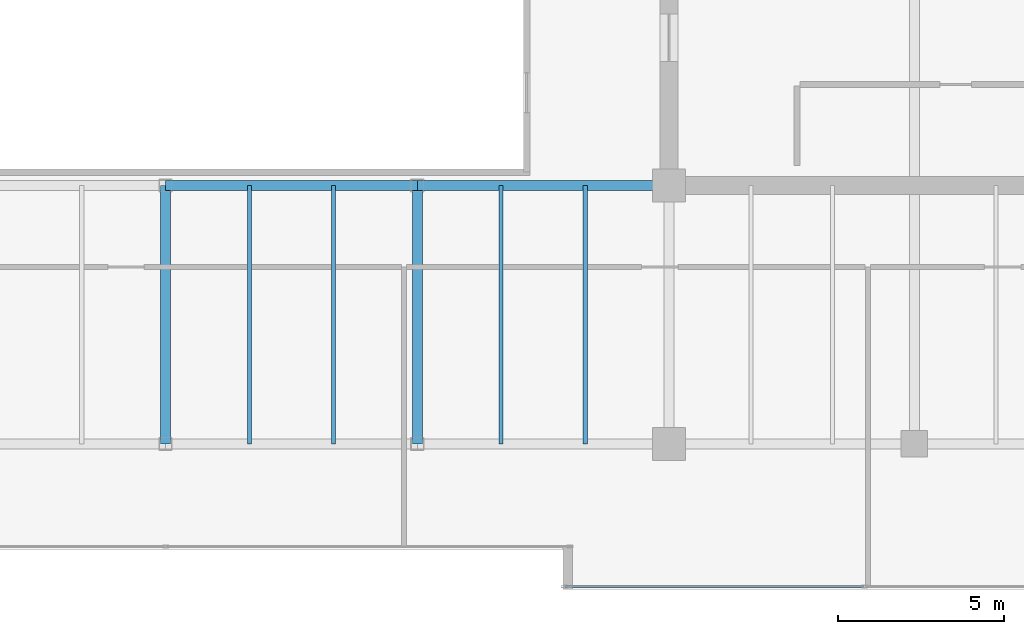
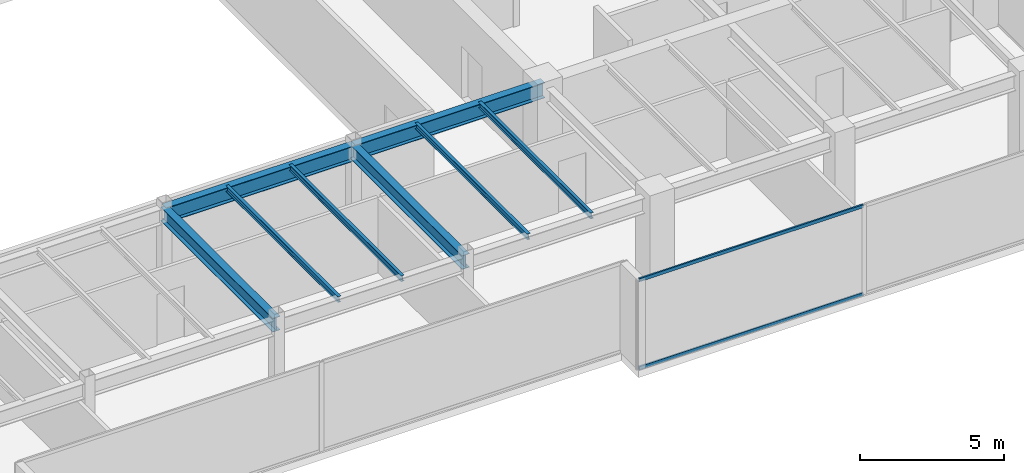
# One storey, part 12 of 33: 8 beams, 2 members, 1 element without a shape of its own.
"""IFC4 building model written with IfcOpenShell, lengths in metres."""

from ifc_helpers import new_model, si_unit, direction, frame, origin, origin_2d, place, context, subcontext, project, spatial, hollow_rectangle, i_section, extrude, source, transform, mapped, material, layer, layer_set, material_profile, profile_set, type_object, type_shapes, element, aggregate, save


model = new_model("IFC4")

# Units and contexts
model_context = context("Model", 3, precision=1e-05, world=origin(), true_north=direction((0.0, 1.0)))
body_context = subcontext(model_context, "Body", "Model", "MODEL_VIEW")
ifc_project = project(units=[si_unit("LENGTHUNIT", "METRE"), si_unit("AREAUNIT", "SQUARE_METRE"), si_unit("VOLUMEUNIT", "CUBIC_METRE"), si_unit("PLANEANGLEUNIT", "RADIAN"), si_unit("MASSUNIT", "GRAM", prefix="KILO")], contexts=[model_context])

# Site, building, storey
site_placement = place(None, origin())
site = spatial("IfcSite", under=ifc_project, at=site_placement, CompositionType="ELEMENT")
building_placement = place(site_placement, origin())
building = spatial("IfcBuilding", under=site, at=building_placement, Name="Haelvirn Gate Laboratories", CompositionType="ELEMENT")
storey_placement = place(building_placement, frame((0.0, 0.0, 279.300048828125)))
storey = spatial("IfcBuildingStorey", under=building, at=storey_placement, Name="L67", CompositionType="ELEMENT", Elevation=279.300048828125)

# Beams
ifc_material_1 = material(Name="Steel SM355", Category="steel")
ifc_material_profile_1 = material_profile(ifc_material_1, i_section(OverallWidth=0.300048828125, OverallDepth=0.587890625, WebThickness=0.011962890625, FlangeThickness=0.02001953125, at=origin_2d()), Name="H-588x300x12x20")
ifc_profile_set_1 = profile_set([ifc_material_profile_1], Name="Steel SM355")
beam_type_1 = type_object("IfcBeamType", Name="BM-G-588", PredefinedType="BEAM", material=ifc_profile_set_1)
shared_shape_1 = source(origin(), body_context, "Body", "SweptSolid", [
    extrude(i_section(OverallWidth=0.300048828125, OverallDepth=0.587890625, WebThickness=0.011962890625, FlangeThickness=0.02001953125, at=origin_2d()), origin(), (0.0, 0.0, 1.0), 7.800048828125),
])
type_shapes(beam_type_1, [shared_shape_1])
for number, where, z_axis, x_axis, name in (
    (1, (37.39990234375, 7.0, 3.505859375), (0.0, 1.0, 0.0), (-1.0, 0.0, 0.0), "L67 Frame Girder X37.4 (7.0-14.8)"),
    (2, (45.0, 7.0, 3.505859375), (0.0, 1.0, 0.0), (-1.0, 0.0, 0.0), "L67 Frame Girder X45.0 (7.0-14.8)"),
):
    element("IfcBeam", number, at=place(storey_placement, frame(where, z_axis=z_axis, x_axis=x_axis)), inside=storey, type_object=beam_type_1, Name=name, PredefinedType="BEAM", context=body_context, shape_type="MappedRepresentation", body=[
        mapped(shared_shape_1, transform((0.0, 0.0, 0.0), scale=1.0)),
    ])
ifc_material_profile_2 = material_profile(ifc_material_1, i_section(OverallWidth=0.300048828125, OverallDepth=0.64990234375, WebThickness=0.012939453125, FlangeThickness=0.02197265625, at=origin_2d()), Name="H-650x300x13x22")
ifc_profile_set_2 = profile_set([ifc_material_profile_2], Name="Steel SM355")
beam_type_2 = type_object("IfcBeamType", Name="BM-G-650", PredefinedType="BEAM", material=ifc_profile_set_2)
shared_shape_2 = source(origin(), body_context, "Body", "SweptSolid", [
    extrude(i_section(OverallWidth=0.300048828125, OverallDepth=0.64990234375, WebThickness=0.012939453125, FlangeThickness=0.02197265625, at=origin_2d()), origin(), (0.0, 0.0, 1.0), 7.60009765625),
])
type_shapes(beam_type_2, [shared_shape_2])
for number, where, z_axis, x_axis, name in (
    (3, (37.39990234375, 14.800048828125, 3.474853515625), (1.0, 0.0, 0.0), (0.0, 1.0, 0.0), "L67 Primary Girder Y14.8 (37.4-45.0)"),
    (4, (45.0, 14.800048828125, 3.474853515625), (1.0, 0.0, 0.0), (0.0, 1.0, 0.0), "L67 Primary Girder Y14.8 (45.0-52.6)"),
):
    element("IfcBeam", number, at=place(storey_placement, frame(where, z_axis=z_axis, x_axis=x_axis)), inside=storey, type_object=beam_type_2, Name=name, PredefinedType="BEAM", context=body_context, shape_type="MappedRepresentation", body=[
        mapped(shared_shape_2, transform((0.0, 0.0, 0.0), scale=1.0)),
    ])
ifc_material_profile_3 = material_profile(ifc_material_1, i_section(OverallWidth=0.125, OverallDepth=0.25, WebThickness=0.006103515625, FlangeThickness=0.009033203125, at=origin_2d()), Name="H-250x125x6x9")
ifc_profile_set_3 = profile_set([ifc_material_profile_3], Name="Steel SM355")
beam_type_3 = type_object("IfcBeamType", Name="BM-J-250", PredefinedType="JOIST", material=ifc_profile_set_3)
shared_shape_3 = source(origin(), body_context, "Body", "SweptSolid", [
    extrude(i_section(OverallWidth=0.125, OverallDepth=0.25, WebThickness=0.006103515625, FlangeThickness=0.009033203125, at=origin_2d()), origin(), (0.0, 0.0, 1.0), 7.800048828125),
])
type_shapes(beam_type_3, [shared_shape_3])
for number, where, z_axis, x_axis, name in (
    (5, (39.929931640625, 7.0, 3.675048828125), (0.0, 1.0, 0.0), (-1.0, 0.0, 0.0), "L67 Composite Lab Joist South X39.93"),
    (6, (42.469970703125, 7.0, 3.675048828125), (0.0, 1.0, 0.0), (-1.0, 0.0, 0.0), "L67 Composite Lab Joist South X42.47"),
    (7, (47.530029296875, 7.0, 3.675048828125), (0.0, 1.0, 0.0), (-1.0, 0.0, 0.0), "L67 Composite Lab Joist South X47.53"),
    (8, (50.070068359375, 7.0, 3.675048828125), (0.0, 1.0, 0.0), (-1.0, 0.0, 0.0), "L67 Composite Lab Joist South X50.07"),
):
    element("IfcBeam", number, at=place(storey_placement, frame(where, z_axis=z_axis, x_axis=x_axis)), inside=storey, type_object=beam_type_3, Name=name, PredefinedType="JOIST", context=body_context, shape_type="MappedRepresentation", body=[
        mapped(shared_shape_3, transform((0.0, 0.0, 0.0), scale=1.0)),
    ])

# Curtain wall, members
ifc_material_2 = material(Name="Anodised bronze unitised aluminium & triple low-E glass", Category="aluminium")
ifc_layer = layer(ifc_material_2, 0.176025390625, Name="CW-SYS-4")
ifc_layer_set = layer_set([ifc_layer], Name="Anodised bronze unitised aluminium & triple low-E glass")
curtain_wall_type = type_object("IfcCurtainWallType", Name="CW-SYS-4", PredefinedType="NOTDEFINED", material=ifc_layer_set)
curtain_wall_placement = place(storey_placement, origin())
curtain_wall = element("IfcCurtainWall", 9, at=curtain_wall_placement, inside=storey, type_object=curtain_wall_type, Name="L67 Unitised Curtain Wall CW-L67-P0-E04-1", PredefinedType="NOTDEFINED")
ifc_material_3 = material(Name="Extruded aluminium 6063-T6 (anodised bronze)", Category="aluminium")
ifc_material_profile_4 = material_profile(ifc_material_3, hollow_rectangle(XDim=0.06494140625, YDim=0.139892578125, WallThickness=0.00390625, at=origin_2d()), Name="CWT-140x65x4")
ifc_profile_set_4 = profile_set([ifc_material_profile_4], Name="Extruded aluminium 6063-T6 (anodised bronze)")
member_type = type_object("IfcMemberType", Name="CWT-T140", PredefinedType="USERDEFINED", material=ifc_profile_set_4)
shared_shape_4 = source(origin(), body_context, "Body", "SweptSolid", [
    extrude(hollow_rectangle(XDim=0.06494140625, YDim=0.139892578125, WallThickness=0.00390625, at=origin_2d()), origin(), (0.0, 0.0, 1.0), 8.9951171875),
])
type_shapes(member_type, [shared_shape_4])
member_1_placement = place(storey_placement, frame((49.469970703125, 2.699951171875, 0.032470703125), z_axis=(1.0, 0.0, 0.0), x_axis=(0.0, 1.0, 0.0)))
member_1 = element("IfcMember", 10, at=member_1_placement, type_object=member_type, Name="CW4 transom 1.1", ObjectType="TRANSOM", PredefinedType="USERDEFINED", context=body_context, shape_type="MappedRepresentation", body=[
    mapped(shared_shape_4, transform((0.0, 0.0, 0.0), scale=1.0)),
])
member_2_placement = place(storey_placement, frame((49.469970703125, 2.699951171875, 3.767333984375), z_axis=(1.0, 0.0, 0.0), x_axis=(0.0, 1.0, 0.0)))
member_2 = element("IfcMember", 11, at=member_2_placement, type_object=member_type, Name="CW4 transom 1.2", ObjectType="TRANSOM", PredefinedType="USERDEFINED", context=body_context, shape_type="MappedRepresentation", body=[
    mapped(shared_shape_4, transform((0.0, 0.0, 0.0), scale=1.0)),
])
aggregate(curtain_wall, [member_1, member_2])

save(model, "model.ifc")
